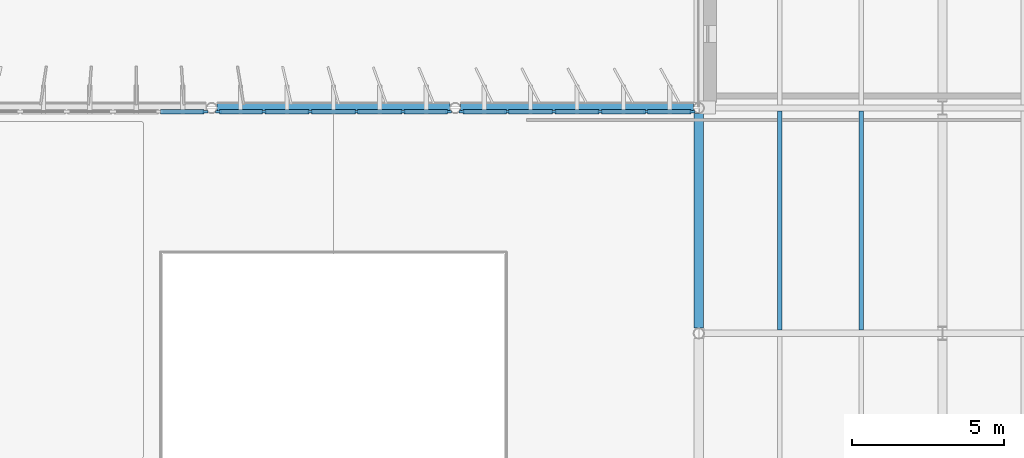
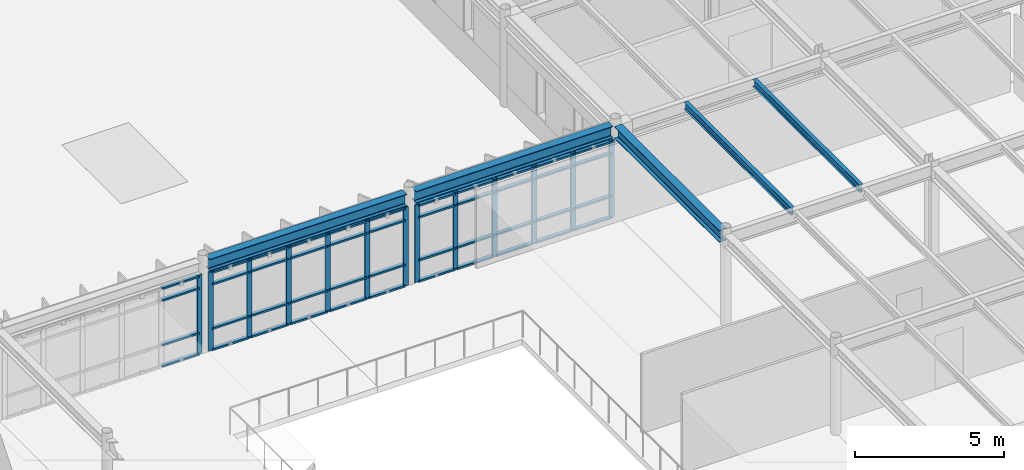
# One storey, part 23 of 56: 57 members, 5 beams, 3 elements without a shape of their own.
"""IFC4 building model written with IfcOpenShell, lengths in metres."""

import ifcopenshell
import ifcopenshell.guid

model = None  # the IFC model being written
_history = None  # IfcOwnerHistory: only IFC2X3 demands one
_inside = {}  # id of a spatial element -> (the spatial element, [elements in it])
_under = {}  # id of a project, library or spatial element -> (it, [spatial elements below it])
_declared = {}  # id of a project -> (the project, [libraries it declares])
_typed = {}  # id of a type object -> (the type object, [elements of that type])
_made_of = {}  # id of a material, layer set ... -> (it, [elements and type objects made of it])


def new_model(schema):
    """Start an empty IFC model of exactly this schema.

    Asked for "IFC4X3", IfcOpenShell would pick the latest addendum, in which some entities
    have other attributes; the version numbers below select the first issue.
    IFC2X3 requires an IfcOwnerHistory on every rooted entity: one is made here for all.
    """
    global model, _history
    if schema == "IFC4X3":
        model = ifcopenshell.file(schema_version=(4, 3, 0, 0))
    else:
        model = ifcopenshell.file(schema=schema)
    _inside.clear()
    _under.clear()
    _declared.clear()
    _typed.clear()
    _made_of.clear()
    _history = None
    if model.schema == "IFC2X3":
        org = make("IfcOrganization", Name="unknown")
        user = make(
            "IfcPersonAndOrganization",
            ThePerson=make("IfcPerson", FamilyName="unknown"),
            TheOrganization=org,
        )
        app = make(
            "IfcApplication",
            ApplicationDeveloper=org,
            Version="unknown",
            ApplicationFullName="unknown",
            ApplicationIdentifier="unknown",
        )
        _history = make(
            "IfcOwnerHistory",
            OwningUser=user,
            OwningApplication=app,
            ChangeAction="ADDED",
            CreationDate=0,
        )
    return model


def make(cls, **values):
    """One entity of the class cls with the attributes given. An attribute that is None is left unset."""
    return model.create_entity(
        cls, **{name: value for name, value in values.items() if value is not None}
    )


def rooted(cls, **values):
    """An entity with a GlobalId (a new one), such as an element, a storey or a relation."""
    return make(cls, GlobalId=ifcopenshell.guid.new(), OwnerHistory=_history, **values)


def si_unit(unit_type, name, prefix=None):
    """IfcSIUnit, for example si_unit("LENGTHUNIT", "METRE", prefix="MILLI")."""
    return make("IfcSIUnit", UnitType=unit_type, Prefix=prefix, Name=name)


def assignment(units):
    """IfcUnitAssignment: the units of a project."""
    return None if units is None else make("IfcUnitAssignment", Units=units)


def point(xyz):
    """IfcCartesianPoint."""
    return None if xyz is None else make("IfcCartesianPoint", Coordinates=xyz)


def direction(xyz):
    """IfcDirection."""
    return None if xyz is None else make("IfcDirection", DirectionRatios=xyz)


def frame(location, z_axis=None, x_axis=None):
    """IfcAxis2Placement3D, a coordinate frame: its origin and axes. An axis left out is left unset."""
    return make(
        "IfcAxis2Placement3D",
        Location=point(location),
        Axis=direction(z_axis),
        RefDirection=direction(x_axis),
    )


def frame_2d(location, x_axis=None):
    """IfcAxis2Placement2D, a coordinate frame in the plane: its origin and x axis."""
    return make(
        "IfcAxis2Placement2D", Location=point(location), RefDirection=direction(x_axis)
    )


def origin():
    """The frame at (0, 0, 0) with its axes left unset."""
    return frame((0.0, 0.0, 0.0))


def origin_2d():
    """The frame at (0, 0) in the plane with its x axis left unset."""
    return frame_2d((0.0, 0.0))


def place(relative_to, where):
    """IfcLocalPlacement: puts the frame where relative to a parent placement (None: the world)."""
    return make(
        "IfcLocalPlacement", PlacementRelTo=relative_to, RelativePlacement=where
    )


def context(
    kind, dimensions, precision=None, world=None, true_north=None, identifier=None
):
    """IfcGeometricRepresentationContext, for example the 3D "Model" context."""
    return make(
        "IfcGeometricRepresentationContext",
        ContextIdentifier=identifier,
        ContextType=kind,
        CoordinateSpaceDimension=dimensions,
        Precision=precision,
        WorldCoordinateSystem=world,
        TrueNorth=true_north,
    )


def subcontext(parent, identifier, kind, view, scale=None):
    """IfcGeometricRepresentationSubContext, for example "Body" below "Model"."""
    return make(
        "IfcGeometricRepresentationSubContext",
        ContextIdentifier=identifier,
        ContextType=kind,
        ParentContext=parent,
        TargetScale=scale,
        TargetView=view,
    )


def project(units=None, contexts=None):
    """IfcProject with its units and contexts."""
    return rooted(
        "IfcProject",
        Name="project",
        RepresentationContexts=contexts,
        UnitsInContext=assignment(units),
    )


def spatial(cls, under=None, at=None, **own):
    """A site, building, storey or space (cls), placed at a placement, below another one or the project."""
    s = rooted(cls, ObjectPlacement=at, **own)
    if under is not None:
        _under.setdefault(under.id(), (under, []))[1].append(s)
    return s


def profile(cls, at=None, kind="AREA", **sizes):
    """A parametric profile (cls). Its sizes go by their IFC names, for example OverallWidth=200.0."""
    return make(cls, ProfileType=kind, Position=at, **sizes)


def rectangle(**sizes):
    """IfcRectangleProfileDef."""
    return profile("IfcRectangleProfileDef", **sizes)


def i_section(**sizes):
    """IfcIShapeProfileDef."""
    return profile("IfcIShapeProfileDef", **sizes)


def extrude(swept, where, along, depth):
    """IfcExtrudedAreaSolid: the profile swept, set in the frame where, extruded along a direction by depth."""
    return make(
        "IfcExtrudedAreaSolid",
        SweptArea=swept,
        Position=where,
        ExtrudedDirection=direction(along),
        Depth=depth,
    )


def shape(context_of_items, identifier, shape_type, items):
    """IfcShapeRepresentation: the items that make up one representation, for example the "Body"."""
    return make(
        "IfcShapeRepresentation",
        ContextOfItems=context_of_items,
        RepresentationIdentifier=identifier,
        RepresentationType=shape_type,
        Items=items,
    )


def material(Name=None, Category=None):
    """IfcMaterial."""
    return make("IfcMaterial", Name=Name, Category=Category)


def layer(
    of_material, thickness, ventilated=None, Name=None, Category=None, Priority=None
):
    """IfcMaterialLayer: one layer of a wall or slab, of a material (None: an air gap)."""
    return make(
        "IfcMaterialLayer",
        Material=of_material,
        LayerThickness=thickness,
        IsVentilated=ventilated,
        Name=Name,
        Category=Category,
        Priority=Priority,
    )


def layer_set(layers, Name=None):
    """IfcMaterialLayerSet."""
    return make("IfcMaterialLayerSet", MaterialLayers=layers, LayerSetName=Name)


def material_profile(
    of_material, cross_section, Name=None, Category=None, Priority=None
):
    """IfcMaterialProfile: a cross section and its material."""
    return make(
        "IfcMaterialProfile",
        Name=Name,
        Material=of_material,
        Profile=cross_section,
        Priority=Priority,
        Category=Category,
    )


def profile_set(profiles, Name=None, composite=None):
    """IfcMaterialProfileSet."""
    return make(
        "IfcMaterialProfileSet",
        Name=Name,
        MaterialProfiles=profiles,
        CompositeProfile=composite,
    )


def made_of(thing, what):
    """Note that an element or type object is made of a material, layer set ...; save() writes the relation."""
    if what is not None:
        _made_of.setdefault(what.id(), (what, []))[1].append(thing)
    return thing


def type_object(cls, material=None, **own):
    """A type object (cls), such as IfcWallType, which elements share."""
    return made_of(rooted(cls, **own), material)


def element(
    cls,
    number,
    at=None,
    inside=None,
    cuts=None,
    type_object=None,
    material=None,
    context=None,
    identifier="Body",
    shape_type=None,
    held_by="IfcProductDefinitionShape",
    body=None,
    shapes=None,
    **own,
):
    """One element of the class cls, such as IfcWall. Its Tag is "e" and its number.

    at: its placement. inside: the storey or other place that contains it. cuts: it is an
    opening in that element (IfcRelVoidsElement). A single representation is given by context,
    identifier, shape_type and body (its items); several are given by shapes. held_by: the class
    of the entity that holds the representations. save() writes the other relations.
    """
    e = rooted(cls, Tag="e%d" % number, ObjectPlacement=at, **own)
    if body is not None:
        shapes = [shape(context, identifier, shape_type, body)]
    if shapes is not None:
        e.Representation = make(held_by, Representations=shapes)
    if inside is not None:
        _inside.setdefault(inside.id(), (inside, []))[1].append(e)
    if cuts is not None:
        rooted(
            "IfcRelVoidsElement", RelatingBuildingElement=cuts, RelatedOpeningElement=e
        )
    if type_object is not None:
        _typed.setdefault(type_object.id(), (type_object, []))[1].append(e)
    return made_of(e, material)


def aggregate(whole, parts):
    """IfcRelAggregates: a whole, such as a stair, and the parts it consists of."""
    return rooted("IfcRelAggregates", RelatingObject=whole, RelatedObjects=parts)


def save(model, path):
    """Write the relations noted so far, then the file.

    IfcRelAggregates (storeys below a building ...), IfcRelContainedInSpatialStructure (elements
    in a storey), IfcRelDefinesByType, IfcRelAssociatesMaterial and IfcRelDeclares: one each for
    every whole, place, type object, material and project.
    """
    for whole, parts in _under.values():
        aggregate(whole, parts)
    for where, things in _inside.values():
        rooted(
            "IfcRelContainedInSpatialStructure",
            RelatedElements=things,
            RelatingStructure=where,
        )
    for kind, things in _typed.values():
        rooted("IfcRelDefinesByType", RelatedObjects=things, RelatingType=kind)
    for what, things in _made_of.values():
        rooted("IfcRelAssociatesMaterial", RelatedObjects=things, RelatingMaterial=what)
    for by, libraries in _declared.values():
        rooted("IfcRelDeclares", RelatingContext=by, RelatedDefinitions=libraries)
    model.write(path)


model = new_model("IFC4")

# Units and contexts
model_context = context("Model", 3, precision=1e-05, world=origin(), true_north=direction((0.0, 1.0)))
body_context = subcontext(model_context, "Body", "Model", "MODEL_VIEW")
ifc_project = project(units=[si_unit("LENGTHUNIT", "METRE"), si_unit("AREAUNIT", "SQUARE_METRE"), si_unit("VOLUMEUNIT", "CUBIC_METRE"), si_unit("PLANEANGLEUNIT", "RADIAN"), si_unit("MASSUNIT", "GRAM", prefix="KILO")], contexts=[model_context])

# Site, building, storey
site_placement = place(None, origin())
site = spatial("IfcSite", under=ifc_project, at=site_placement, CompositionType="ELEMENT")
building_placement = place(site_placement, origin())
building = spatial("IfcBuilding", under=site, at=building_placement, Name="Valkorina Park Police Headquarters", CompositionType="ELEMENT")
storey_placement = place(building_placement, frame((0.0, 0.0, 14.10009765625)))
storey = spatial("IfcBuildingStorey", under=building, at=storey_placement, Name="L04", CompositionType="ELEMENT", Elevation=14.10009765625)

# Beams
ifc_material_1 = material(Name="Steel S355", Category="steel")
ifc_material_profile_1 = material_profile(ifc_material_1, i_section(OverallWidth=0.300048828125, OverallDepth=0.489990234375, WebThickness=0.011962890625, FlangeThickness=0.02294921875, FilletRadius=0.027099609375, at=origin_2d()), Name="HEA 500")
ifc_profile_set_1 = profile_set([ifc_material_profile_1], Name="Steel S355")
beam_type_1 = type_object("IfcBeamType", Name="BM-S355-HEA500-BM", PredefinedType="BEAM", material=ifc_profile_set_1)
beam_placement = place(storey_placement, frame((80.800048828125, 51.977783203125, 3.494873046875), z_axis=(0.0, 1.0, 0.0), x_axis=(-1.0, 0.0, 0.0)))
element("IfcBeam", 1, at=beam_placement, inside=storey, type_object=beam_type_1, Name="L04 Framing Beam 2337", PredefinedType="BEAM", context=body_context, shape_type="SweptSolid", body=[
    extrude(i_section(OverallWidth=0.300048828125, OverallDepth=0.489990234375, WebThickness=0.011962890625, FlangeThickness=0.02294921875, FilletRadius=0.027099609375, at=origin_2d()), origin(), (0.0, 0.0, 1.0), 7.04443359375),
])
ifc_material_profile_2 = material_profile(ifc_material_1, i_section(OverallWidth=0.300048828125, OverallDepth=0.489990234375, WebThickness=0.011962890625, FlangeThickness=0.02294921875, FilletRadius=0.027099609375, at=origin_2d()), Name="HEA 500")
ifc_profile_set_2 = profile_set([ifc_material_profile_2], Name="Steel S355")
beam_type_2 = type_object("IfcBeamType", Name="BM-S355-HEA500-SPN", PredefinedType="SPANDREL", material=ifc_profile_set_2)
for number, where, z_axis, x_axis, name in (
    (2, (64.977783203125, 59.199951171875, 3.510009765625), (1.0, 0.0, 0.0), (0.0, 1.0, 0.0), "L04 Framing Beam 2257"),
    (3, (72.977783203125, 59.199951171875, 3.494873046875), (1.0, 0.0, 0.0), (0.0, 1.0, 0.0), "L04 Framing Beam 2258"),
):
    element("IfcBeam", number, at=place(storey_placement, frame(where, z_axis=z_axis, x_axis=x_axis)), inside=storey, type_object=beam_type_2, Name=name, PredefinedType="SPANDREL", context=body_context, shape_type="SweptSolid", body=[
        extrude(i_section(OverallWidth=0.300048828125, OverallDepth=0.489990234375, WebThickness=0.011962890625, FlangeThickness=0.02294921875, FilletRadius=0.027099609375, at=origin_2d()), origin(), (0.0, 0.0, 1.0), 7.64453125),
    ])
ifc_material_profile_3 = material_profile(ifc_material_1, i_section(OverallWidth=0.14990234375, OverallDepth=0.300048828125, WebThickness=0.007080078125, FlangeThickness=0.0107421875, FilletRadius=0.014892578125, at=origin_2d()), Name="IPE 300")
ifc_profile_set_3 = profile_set([ifc_material_profile_3], Name="Steel S355")
beam_type_3 = type_object("IfcBeamType", Name="BM-S355-IPE300-JST", PredefinedType="JOIST", material=ifc_profile_set_3)
for number, where, z_axis, x_axis, name in (
    (4, (83.466796875, 51.905029296875, 3.58984375), (0.0, 1.0, 0.0), (-1.0, 0.0, 0.0), "L04 Framing Beam 2338"),
    (5, (86.13330078125, 51.905029296875, 3.58984375), (0.0, 1.0, 0.0), (-1.0, 0.0, 0.0), "L04 Framing Beam 2339"),
):
    element("IfcBeam", number, at=place(storey_placement, frame(where, z_axis=z_axis, x_axis=x_axis)), inside=storey, type_object=beam_type_3, Name=name, PredefinedType="JOIST", context=body_context, shape_type="SweptSolid", body=[
        extrude(i_section(OverallWidth=0.14990234375, OverallDepth=0.300048828125, WebThickness=0.007080078125, FlangeThickness=0.0107421875, FilletRadius=0.014892578125, at=origin_2d()), origin(), (0.0, 0.0, 1.0), 7.18994140625),
    ])

# Curtain wall, member
ifc_material_2 = material(Name="Thermally broken aluminium AW-6060", Category="aluminium")
ifc_layer_1 = layer(ifc_material_2, 0.18994140625)
ifc_layer_set_1 = layer_set([ifc_layer_1], Name="Thermally broken aluminium AW-6060")
curtain_wall_type_1 = type_object("IfcCurtainWallType", Name="CW-V5-7620x3260", PredefinedType="NOTDEFINED", material=ifc_layer_set_1)
curtain_wall_1_placement = place(storey_placement, origin())
curtain_wall_1 = element("IfcCurtainWall", 6, at=curtain_wall_1_placement, inside=storey, type_object=curtain_wall_type_1, Name="L04 Unitised Curtain Wall 037", PredefinedType="NOTDEFINED")
ifc_material_profile_4 = material_profile(ifc_material_2, rectangle(XDim=0.070068359375, YDim=0.18994140625, at=origin_2d()), Name="CWM-02 70x190")
ifc_profile_set_4 = profile_set([ifc_material_profile_4], Name="Thermally broken aluminium AW-6060")
member_type_1 = type_object("IfcMemberType", Name="CWM-70x190", PredefinedType="MULLION", material=ifc_profile_set_4)
member_1_placement = place(storey_placement, frame((64.5771484375, 59.080078125, 0.0), z_axis=(0.0, 0.0, 1.0), x_axis=(0.0, 1.0, 0.0)))
member_1 = element("IfcMember", 7, at=member_1_placement, type_object=member_type_1, Name="CW-V5-762-326 mullion 6", PredefinedType="MULLION", context=body_context, shape_type="SweptSolid", body=[
    extrude(rectangle(XDim=0.070068359375, YDim=0.18994140625, at=origin_2d()), origin(), (0.0, 0.0, 1.0), 3.2548828125),
])

# Curtain wall, members
ifc_layer_2 = layer(ifc_material_2, 0.18994140625)
ifc_layer_set_2 = layer_set([ifc_layer_2], Name="Thermally broken aluminium AW-6060")
curtain_wall_type_2 = type_object("IfcCurtainWallType", Name="CW-V5-7620x3240", PredefinedType="NOTDEFINED", material=ifc_layer_set_2)
curtain_wall_2_placement = place(storey_placement, origin())
curtain_wall_2 = element("IfcCurtainWall", 8, at=curtain_wall_2_placement, inside=storey, type_object=curtain_wall_type_2, Name="L04 Unitised Curtain Wall 038", PredefinedType="NOTDEFINED")
member_2_placement = place(storey_placement, frame((65.022705078125, 59.080078125, 0.0), z_axis=(0.0, 0.0, 1.0), x_axis=(0.0, 1.0, 0.0)))
member_2 = element("IfcMember", 9, at=member_2_placement, type_object=member_type_1, Name="CW-V5-762-324 mullion 1", PredefinedType="MULLION", context=body_context, shape_type="SweptSolid", body=[
    extrude(rectangle(XDim=0.070068359375, YDim=0.18994140625, at=origin_2d()), origin(), (0.0, 0.0, 1.0), 3.239990234375),
])
member_3_placement = place(storey_placement, frame((66.5126953125, 59.080078125, 0.0), z_axis=(0.0, 0.0, 1.0), x_axis=(0.0, 1.0, 0.0)))
member_3 = element("IfcMember", 10, at=member_3_placement, type_object=member_type_1, Name="CW-V5-762-324 mullion 2", PredefinedType="MULLION", context=body_context, shape_type="SweptSolid", body=[
    extrude(rectangle(XDim=0.070068359375, YDim=0.18994140625, at=origin_2d()), origin(), (0.0, 0.0, 1.0), 3.239990234375),
])
member_4_placement = place(storey_placement, frame((68.03759765625, 59.080078125, 0.0), z_axis=(0.0, 0.0, 1.0), x_axis=(0.0, 1.0, 0.0)))
member_4 = element("IfcMember", 11, at=member_4_placement, type_object=member_type_1, Name="CW-V5-762-324 mullion 3", PredefinedType="MULLION", context=body_context, shape_type="SweptSolid", body=[
    extrude(rectangle(XDim=0.070068359375, YDim=0.18994140625, at=origin_2d()), origin(), (0.0, 0.0, 1.0), 3.239990234375),
])
member_5_placement = place(storey_placement, frame((69.5625, 59.080078125, 0.0), z_axis=(0.0, 0.0, 1.0), x_axis=(0.0, 1.0, 0.0)))
member_5 = element("IfcMember", 12, at=member_5_placement, type_object=member_type_1, Name="CW-V5-762-324 mullion 4", PredefinedType="MULLION", context=body_context, shape_type="SweptSolid", body=[
    extrude(rectangle(XDim=0.070068359375, YDim=0.18994140625, at=origin_2d()), origin(), (0.0, 0.0, 1.0), 3.239990234375),
])
member_6_placement = place(storey_placement, frame((71.08740234375, 59.080078125, 0.0), z_axis=(0.0, 0.0, 1.0), x_axis=(0.0, 1.0, 0.0)))
member_6 = element("IfcMember", 13, at=member_6_placement, type_object=member_type_1, Name="CW-V5-762-324 mullion 5", PredefinedType="MULLION", context=body_context, shape_type="SweptSolid", body=[
    extrude(rectangle(XDim=0.070068359375, YDim=0.18994140625, at=origin_2d()), origin(), (0.0, 0.0, 1.0), 3.239990234375),
])
member_7_placement = place(storey_placement, frame((72.5771484375, 59.080078125, 0.0), z_axis=(0.0, 0.0, 1.0), x_axis=(0.0, 1.0, 0.0)))
member_7 = element("IfcMember", 14, at=member_7_placement, type_object=member_type_1, Name="CW-V5-762-324 mullion 6", PredefinedType="MULLION", context=body_context, shape_type="SweptSolid", body=[
    extrude(rectangle(XDim=0.070068359375, YDim=0.18994140625, at=origin_2d()), origin(), (0.0, 0.0, 1.0), 3.239990234375),
])

ifc_layer_3 = layer(ifc_material_2, 0.18994140625)
ifc_layer_set_3 = layer_set([ifc_layer_3], Name="Thermally broken aluminium AW-6060")
curtain_wall_type_3 = type_object("IfcCurtainWallType", Name="CW-V5-7620x3180", PredefinedType="NOTDEFINED", material=ifc_layer_set_3)
curtain_wall_3_placement = place(storey_placement, origin())
curtain_wall_3 = element("IfcCurtainWall", 15, at=curtain_wall_3_placement, inside=storey, type_object=curtain_wall_type_3, Name="L04 Unitised Curtain Wall 039", PredefinedType="NOTDEFINED")
member_8_placement = place(storey_placement, frame((73.022705078125, 59.080078125, 0.0), z_axis=(0.0, 0.0, 1.0), x_axis=(0.0, 1.0, 0.0)))
member_8 = element("IfcMember", 16, at=member_8_placement, type_object=member_type_1, Name="CW-V5-762-318 mullion 1", PredefinedType="MULLION", context=body_context, shape_type="SweptSolid", body=[
    extrude(rectangle(XDim=0.070068359375, YDim=0.18994140625, at=origin_2d()), origin(), (0.0, 0.0, 1.0), 3.179931640625),
])
member_9_placement = place(storey_placement, frame((74.5126953125, 59.080078125, 0.0), z_axis=(0.0, 0.0, 1.0), x_axis=(0.0, 1.0, 0.0)))
member_9 = element("IfcMember", 17, at=member_9_placement, type_object=member_type_1, Name="CW-V5-762-318 mullion 2", PredefinedType="MULLION", context=body_context, shape_type="SweptSolid", body=[
    extrude(rectangle(XDim=0.070068359375, YDim=0.18994140625, at=origin_2d()), origin(), (0.0, 0.0, 1.0), 3.179931640625),
])
member_10_placement = place(storey_placement, frame((76.03759765625, 59.080078125, 0.0), z_axis=(0.0, 0.0, 1.0), x_axis=(0.0, 1.0, 0.0)))
member_10 = element("IfcMember", 18, at=member_10_placement, type_object=member_type_1, Name="CW-V5-762-318 mullion 3", PredefinedType="MULLION", context=body_context, shape_type="SweptSolid", body=[
    extrude(rectangle(XDim=0.070068359375, YDim=0.18994140625, at=origin_2d()), origin(), (0.0, 0.0, 1.0), 3.179931640625),
])
member_11_placement = place(storey_placement, frame((77.5625, 59.080078125, 0.0), z_axis=(0.0, 0.0, 1.0), x_axis=(0.0, 1.0, 0.0)))
member_11 = element("IfcMember", 19, at=member_11_placement, type_object=member_type_1, Name="CW-V5-762-318 mullion 4", PredefinedType="MULLION", context=body_context, shape_type="SweptSolid", body=[
    extrude(rectangle(XDim=0.070068359375, YDim=0.18994140625, at=origin_2d()), origin(), (0.0, 0.0, 1.0), 3.179931640625),
])
member_12_placement = place(storey_placement, frame((79.08740234375, 59.080078125, 0.0), z_axis=(0.0, 0.0, 1.0), x_axis=(0.0, 1.0, 0.0)))
member_12 = element("IfcMember", 20, at=member_12_placement, type_object=member_type_1, Name="CW-V5-762-318 mullion 5", PredefinedType="MULLION", context=body_context, shape_type="SweptSolid", body=[
    extrude(rectangle(XDim=0.070068359375, YDim=0.18994140625, at=origin_2d()), origin(), (0.0, 0.0, 1.0), 3.179931640625),
])
member_13_placement = place(storey_placement, frame((80.5771484375, 59.080078125, 0.0), z_axis=(0.0, 0.0, 1.0), x_axis=(0.0, 1.0, 0.0)))
member_13 = element("IfcMember", 21, at=member_13_placement, type_object=member_type_1, Name="CW-V5-762-318 mullion 6", PredefinedType="MULLION", context=body_context, shape_type="SweptSolid", body=[
    extrude(rectangle(XDim=0.070068359375, YDim=0.18994140625, at=origin_2d()), origin(), (0.0, 0.0, 1.0), 3.179931640625),
])

# Member
ifc_material_profile_5 = material_profile(ifc_material_2, rectangle(XDim=0.14990234375, YDim=0.070068359375, at=origin_2d()), Name="CWT-02 150x70")
ifc_profile_set_5 = profile_set([ifc_material_profile_5], Name="Thermally broken aluminium AW-6060")
member_type_2 = type_object("IfcMemberType", Name="CWT-150x70", PredefinedType="USERDEFINED", material=ifc_profile_set_5)
member_14_placement = place(storey_placement, frame((63.122314453125, 59.080078125, 0.034912109375), z_axis=(1.0, 0.0, 0.0), x_axis=(0.0, 1.0, 0.0)))
member_14 = element("IfcMember", 22, at=member_14_placement, type_object=member_type_2, Name="CW-V5-762-326 transom 5.1", ObjectType="TRANSOM", PredefinedType="USERDEFINED", context=body_context, shape_type="SweptSolid", body=[
    extrude(rectangle(XDim=0.14990234375, YDim=0.070068359375, at=origin_2d()), origin(), (0.0, 0.0, 1.0), 1.419921875),
])

member_15_placement = place(storey_placement, frame((63.122314453125, 59.080078125, 0.89990234375), z_axis=(1.0, 0.0, 0.0), x_axis=(0.0, 1.0, 0.0)))
member_15 = element("IfcMember", 23, at=member_15_placement, type_object=member_type_2, Name="CW-V5-762-326 transom 5.2", ObjectType="TRANSOM", PredefinedType="USERDEFINED", context=body_context, shape_type="SweptSolid", body=[
    extrude(rectangle(XDim=0.14990234375, YDim=0.070068359375, at=origin_2d()), origin(), (0.0, 0.0, 1.0), 1.419921875),
])

member_16_placement = place(storey_placement, frame((63.122314453125, 59.080078125, 2.73486328125), z_axis=(1.0, 0.0, 0.0), x_axis=(0.0, 1.0, 0.0)))
member_16 = element("IfcMember", 24, at=member_16_placement, type_object=member_type_2, Name="CW-V5-762-326 transom 5.3", ObjectType="TRANSOM", PredefinedType="USERDEFINED", context=body_context, shape_type="SweptSolid", body=[
    extrude(rectangle(XDim=0.14990234375, YDim=0.070068359375, at=origin_2d()), origin(), (0.0, 0.0, 1.0), 1.419921875),
])

member_17_placement = place(storey_placement, frame((63.122314453125, 59.080078125, 3.219970703125), z_axis=(1.0, 0.0, 0.0), x_axis=(0.0, 1.0, 0.0)))
member_17 = element("IfcMember", 25, at=member_17_placement, type_object=member_type_2, Name="CW-V5-762-326 transom 5.4", ObjectType="TRANSOM", PredefinedType="USERDEFINED", context=body_context, shape_type="SweptSolid", body=[
    extrude(rectangle(XDim=0.14990234375, YDim=0.070068359375, at=origin_2d()), origin(), (0.0, 0.0, 1.0), 1.419921875),
])

aggregate(curtain_wall_1, [member_1, member_14, member_15, member_16, member_17])

member_18_placement = place(storey_placement, frame((65.057861328125, 59.080078125, 0.034912109375), z_axis=(1.0, 0.0, 0.0), x_axis=(0.0, 1.0, 0.0)))
member_18 = element("IfcMember", 26, at=member_18_placement, type_object=member_type_2, Name="CW-V5-762-324 transom 1.1", ObjectType="TRANSOM", PredefinedType="USERDEFINED", context=body_context, shape_type="SweptSolid", body=[
    extrude(rectangle(XDim=0.14990234375, YDim=0.070068359375, at=origin_2d()), origin(), (0.0, 0.0, 1.0), 1.419921875),
])

member_19_placement = place(storey_placement, frame((65.057861328125, 59.080078125, 0.89990234375), z_axis=(1.0, 0.0, 0.0), x_axis=(0.0, 1.0, 0.0)))
member_19 = element("IfcMember", 27, at=member_19_placement, type_object=member_type_2, Name="CW-V5-762-324 transom 1.2", ObjectType="TRANSOM", PredefinedType="USERDEFINED", context=body_context, shape_type="SweptSolid", body=[
    extrude(rectangle(XDim=0.14990234375, YDim=0.070068359375, at=origin_2d()), origin(), (0.0, 0.0, 1.0), 1.419921875),
])

member_20_placement = place(storey_placement, frame((65.057861328125, 59.080078125, 2.719970703125), z_axis=(1.0, 0.0, 0.0), x_axis=(0.0, 1.0, 0.0)))
member_20 = element("IfcMember", 28, at=member_20_placement, type_object=member_type_2, Name="CW-V5-762-324 transom 1.3", ObjectType="TRANSOM", PredefinedType="USERDEFINED", context=body_context, shape_type="SweptSolid", body=[
    extrude(rectangle(XDim=0.14990234375, YDim=0.070068359375, at=origin_2d()), origin(), (0.0, 0.0, 1.0), 1.419921875),
])

member_21_placement = place(storey_placement, frame((65.057861328125, 59.080078125, 3.204833984375), z_axis=(1.0, 0.0, 0.0), x_axis=(0.0, 1.0, 0.0)))
member_21 = element("IfcMember", 29, at=member_21_placement, type_object=member_type_2, Name="CW-V5-762-324 transom 1.4", ObjectType="TRANSOM", PredefinedType="USERDEFINED", context=body_context, shape_type="SweptSolid", body=[
    extrude(rectangle(XDim=0.14990234375, YDim=0.070068359375, at=origin_2d()), origin(), (0.0, 0.0, 1.0), 1.419921875),
])

member_22_placement = place(storey_placement, frame((66.547607421875, 59.080078125, 0.034912109375), z_axis=(1.0, 0.0, 0.0), x_axis=(0.0, 1.0, 0.0)))
member_22 = element("IfcMember", 30, at=member_22_placement, type_object=member_type_2, Name="CW-V5-762-324 transom 2.1", ObjectType="TRANSOM", PredefinedType="USERDEFINED", context=body_context, shape_type="SweptSolid", body=[
    extrude(rectangle(XDim=0.14990234375, YDim=0.070068359375, at=origin_2d()), origin(), (0.0, 0.0, 1.0), 1.454833984375),
])

member_23_placement = place(storey_placement, frame((66.547607421875, 59.080078125, 0.89990234375), z_axis=(1.0, 0.0, 0.0), x_axis=(0.0, 1.0, 0.0)))
member_23 = element("IfcMember", 31, at=member_23_placement, type_object=member_type_2, Name="CW-V5-762-324 transom 2.2", ObjectType="TRANSOM", PredefinedType="USERDEFINED", context=body_context, shape_type="SweptSolid", body=[
    extrude(rectangle(XDim=0.14990234375, YDim=0.070068359375, at=origin_2d()), origin(), (0.0, 0.0, 1.0), 1.454833984375),
])

member_24_placement = place(storey_placement, frame((66.547607421875, 59.080078125, 2.719970703125), z_axis=(1.0, 0.0, 0.0), x_axis=(0.0, 1.0, 0.0)))
member_24 = element("IfcMember", 32, at=member_24_placement, type_object=member_type_2, Name="CW-V5-762-324 transom 2.3", ObjectType="TRANSOM", PredefinedType="USERDEFINED", context=body_context, shape_type="SweptSolid", body=[
    extrude(rectangle(XDim=0.14990234375, YDim=0.070068359375, at=origin_2d()), origin(), (0.0, 0.0, 1.0), 1.454833984375),
])

member_25_placement = place(storey_placement, frame((66.547607421875, 59.080078125, 3.204833984375), z_axis=(1.0, 0.0, 0.0), x_axis=(0.0, 1.0, 0.0)))
member_25 = element("IfcMember", 33, at=member_25_placement, type_object=member_type_2, Name="CW-V5-762-324 transom 2.4", ObjectType="TRANSOM", PredefinedType="USERDEFINED", context=body_context, shape_type="SweptSolid", body=[
    extrude(rectangle(XDim=0.14990234375, YDim=0.070068359375, at=origin_2d()), origin(), (0.0, 0.0, 1.0), 1.454833984375),
])

member_26_placement = place(storey_placement, frame((68.072509765625, 59.080078125, 0.034912109375), z_axis=(1.0, 0.0, 0.0), x_axis=(0.0, 1.0, 0.0)))
member_26 = element("IfcMember", 34, at=member_26_placement, type_object=member_type_2, Name="CW-V5-762-324 transom 3.1", ObjectType="TRANSOM", PredefinedType="USERDEFINED", context=body_context, shape_type="SweptSolid", body=[
    extrude(rectangle(XDim=0.14990234375, YDim=0.070068359375, at=origin_2d()), origin(), (0.0, 0.0, 1.0), 1.454833984375),
])

member_27_placement = place(storey_placement, frame((68.072509765625, 59.080078125, 0.89990234375), z_axis=(1.0, 0.0, 0.0), x_axis=(0.0, 1.0, 0.0)))
member_27 = element("IfcMember", 35, at=member_27_placement, type_object=member_type_2, Name="CW-V5-762-324 transom 3.2", ObjectType="TRANSOM", PredefinedType="USERDEFINED", context=body_context, shape_type="SweptSolid", body=[
    extrude(rectangle(XDim=0.14990234375, YDim=0.070068359375, at=origin_2d()), origin(), (0.0, 0.0, 1.0), 1.454833984375),
])

member_28_placement = place(storey_placement, frame((68.072509765625, 59.080078125, 2.719970703125), z_axis=(1.0, 0.0, 0.0), x_axis=(0.0, 1.0, 0.0)))
member_28 = element("IfcMember", 36, at=member_28_placement, type_object=member_type_2, Name="CW-V5-762-324 transom 3.3", ObjectType="TRANSOM", PredefinedType="USERDEFINED", context=body_context, shape_type="SweptSolid", body=[
    extrude(rectangle(XDim=0.14990234375, YDim=0.070068359375, at=origin_2d()), origin(), (0.0, 0.0, 1.0), 1.454833984375),
])

member_29_placement = place(storey_placement, frame((68.072509765625, 59.080078125, 3.204833984375), z_axis=(1.0, 0.0, 0.0), x_axis=(0.0, 1.0, 0.0)))
member_29 = element("IfcMember", 37, at=member_29_placement, type_object=member_type_2, Name="CW-V5-762-324 transom 3.4", ObjectType="TRANSOM", PredefinedType="USERDEFINED", context=body_context, shape_type="SweptSolid", body=[
    extrude(rectangle(XDim=0.14990234375, YDim=0.070068359375, at=origin_2d()), origin(), (0.0, 0.0, 1.0), 1.454833984375),
])

member_30_placement = place(storey_placement, frame((69.597412109375, 59.080078125, 0.034912109375), z_axis=(1.0, 0.0, 0.0), x_axis=(0.0, 1.0, 0.0)))
member_30 = element("IfcMember", 38, at=member_30_placement, type_object=member_type_2, Name="CW-V5-762-324 transom 4.1", ObjectType="TRANSOM", PredefinedType="USERDEFINED", context=body_context, shape_type="SweptSolid", body=[
    extrude(rectangle(XDim=0.14990234375, YDim=0.070068359375, at=origin_2d()), origin(), (0.0, 0.0, 1.0), 1.454833984375),
])

member_31_placement = place(storey_placement, frame((69.597412109375, 59.080078125, 0.89990234375), z_axis=(1.0, 0.0, 0.0), x_axis=(0.0, 1.0, 0.0)))
member_31 = element("IfcMember", 39, at=member_31_placement, type_object=member_type_2, Name="CW-V5-762-324 transom 4.2", ObjectType="TRANSOM", PredefinedType="USERDEFINED", context=body_context, shape_type="SweptSolid", body=[
    extrude(rectangle(XDim=0.14990234375, YDim=0.070068359375, at=origin_2d()), origin(), (0.0, 0.0, 1.0), 1.454833984375),
])

member_32_placement = place(storey_placement, frame((69.597412109375, 59.080078125, 2.719970703125), z_axis=(1.0, 0.0, 0.0), x_axis=(0.0, 1.0, 0.0)))
member_32 = element("IfcMember", 40, at=member_32_placement, type_object=member_type_2, Name="CW-V5-762-324 transom 4.3", ObjectType="TRANSOM", PredefinedType="USERDEFINED", context=body_context, shape_type="SweptSolid", body=[
    extrude(rectangle(XDim=0.14990234375, YDim=0.070068359375, at=origin_2d()), origin(), (0.0, 0.0, 1.0), 1.454833984375),
])

member_33_placement = place(storey_placement, frame((69.597412109375, 59.080078125, 3.204833984375), z_axis=(1.0, 0.0, 0.0), x_axis=(0.0, 1.0, 0.0)))
member_33 = element("IfcMember", 41, at=member_33_placement, type_object=member_type_2, Name="CW-V5-762-324 transom 4.4", ObjectType="TRANSOM", PredefinedType="USERDEFINED", context=body_context, shape_type="SweptSolid", body=[
    extrude(rectangle(XDim=0.14990234375, YDim=0.070068359375, at=origin_2d()), origin(), (0.0, 0.0, 1.0), 1.454833984375),
])

member_34_placement = place(storey_placement, frame((71.122314453125, 59.080078125, 0.034912109375), z_axis=(1.0, 0.0, 0.0), x_axis=(0.0, 1.0, 0.0)))
member_34 = element("IfcMember", 42, at=member_34_placement, type_object=member_type_2, Name="CW-V5-762-324 transom 5.1", ObjectType="TRANSOM", PredefinedType="USERDEFINED", context=body_context, shape_type="SweptSolid", body=[
    extrude(rectangle(XDim=0.14990234375, YDim=0.070068359375, at=origin_2d()), origin(), (0.0, 0.0, 1.0), 1.419921875),
])

member_35_placement = place(storey_placement, frame((71.122314453125, 59.080078125, 0.89990234375), z_axis=(1.0, 0.0, 0.0), x_axis=(0.0, 1.0, 0.0)))
member_35 = element("IfcMember", 43, at=member_35_placement, type_object=member_type_2, Name="CW-V5-762-324 transom 5.2", ObjectType="TRANSOM", PredefinedType="USERDEFINED", context=body_context, shape_type="SweptSolid", body=[
    extrude(rectangle(XDim=0.14990234375, YDim=0.070068359375, at=origin_2d()), origin(), (0.0, 0.0, 1.0), 1.419921875),
])

member_36_placement = place(storey_placement, frame((71.122314453125, 59.080078125, 2.719970703125), z_axis=(1.0, 0.0, 0.0), x_axis=(0.0, 1.0, 0.0)))
member_36 = element("IfcMember", 44, at=member_36_placement, type_object=member_type_2, Name="CW-V5-762-324 transom 5.3", ObjectType="TRANSOM", PredefinedType="USERDEFINED", context=body_context, shape_type="SweptSolid", body=[
    extrude(rectangle(XDim=0.14990234375, YDim=0.070068359375, at=origin_2d()), origin(), (0.0, 0.0, 1.0), 1.419921875),
])

member_37_placement = place(storey_placement, frame((71.122314453125, 59.080078125, 3.204833984375), z_axis=(1.0, 0.0, 0.0), x_axis=(0.0, 1.0, 0.0)))
member_37 = element("IfcMember", 45, at=member_37_placement, type_object=member_type_2, Name="CW-V5-762-324 transom 5.4", ObjectType="TRANSOM", PredefinedType="USERDEFINED", context=body_context, shape_type="SweptSolid", body=[
    extrude(rectangle(XDim=0.14990234375, YDim=0.070068359375, at=origin_2d()), origin(), (0.0, 0.0, 1.0), 1.419921875),
])

aggregate(curtain_wall_2, [member_2, member_3, member_4, member_5, member_6, member_7, member_18, member_19, member_20, member_21, member_22, member_23, member_24, member_25, member_26, member_27, member_28, member_29, member_30, member_31, member_32, member_33, member_34, member_35, member_36, member_37])

member_38_placement = place(storey_placement, frame((73.057861328125, 59.080078125, 0.034912109375), z_axis=(1.0, 0.0, 0.0), x_axis=(0.0, 1.0, 0.0)))
member_38 = element("IfcMember", 46, at=member_38_placement, type_object=member_type_2, Name="CW-V5-762-318 transom 1.1", ObjectType="TRANSOM", PredefinedType="USERDEFINED", context=body_context, shape_type="SweptSolid", body=[
    extrude(rectangle(XDim=0.14990234375, YDim=0.070068359375, at=origin_2d()), origin(), (0.0, 0.0, 1.0), 1.419921875),
])

member_39_placement = place(storey_placement, frame((73.057861328125, 59.080078125, 0.89990234375), z_axis=(1.0, 0.0, 0.0), x_axis=(0.0, 1.0, 0.0)))
member_39 = element("IfcMember", 47, at=member_39_placement, type_object=member_type_2, Name="CW-V5-762-318 transom 1.2", ObjectType="TRANSOM", PredefinedType="USERDEFINED", context=body_context, shape_type="SweptSolid", body=[
    extrude(rectangle(XDim=0.14990234375, YDim=0.070068359375, at=origin_2d()), origin(), (0.0, 0.0, 1.0), 1.419921875),
])

member_40_placement = place(storey_placement, frame((73.057861328125, 59.080078125, 2.659912109375), z_axis=(1.0, 0.0, 0.0), x_axis=(0.0, 1.0, 0.0)))
member_40 = element("IfcMember", 48, at=member_40_placement, type_object=member_type_2, Name="CW-V5-762-318 transom 1.3", ObjectType="TRANSOM", PredefinedType="USERDEFINED", context=body_context, shape_type="SweptSolid", body=[
    extrude(rectangle(XDim=0.14990234375, YDim=0.070068359375, at=origin_2d()), origin(), (0.0, 0.0, 1.0), 1.419921875),
])

member_41_placement = place(storey_placement, frame((73.057861328125, 59.080078125, 3.14501953125), z_axis=(1.0, 0.0, 0.0), x_axis=(0.0, 1.0, 0.0)))
member_41 = element("IfcMember", 49, at=member_41_placement, type_object=member_type_2, Name="CW-V5-762-318 transom 1.4", ObjectType="TRANSOM", PredefinedType="USERDEFINED", context=body_context, shape_type="SweptSolid", body=[
    extrude(rectangle(XDim=0.14990234375, YDim=0.070068359375, at=origin_2d()), origin(), (0.0, 0.0, 1.0), 1.419921875),
])

member_42_placement = place(storey_placement, frame((74.547607421875, 59.080078125, 0.034912109375), z_axis=(1.0, 0.0, 0.0), x_axis=(0.0, 1.0, 0.0)))
member_42 = element("IfcMember", 50, at=member_42_placement, type_object=member_type_2, Name="CW-V5-762-318 transom 2.1", ObjectType="TRANSOM", PredefinedType="USERDEFINED", context=body_context, shape_type="SweptSolid", body=[
    extrude(rectangle(XDim=0.14990234375, YDim=0.070068359375, at=origin_2d()), origin(), (0.0, 0.0, 1.0), 1.454833984375),
])

member_43_placement = place(storey_placement, frame((74.547607421875, 59.080078125, 0.89990234375), z_axis=(1.0, 0.0, 0.0), x_axis=(0.0, 1.0, 0.0)))
member_43 = element("IfcMember", 51, at=member_43_placement, type_object=member_type_2, Name="CW-V5-762-318 transom 2.2", ObjectType="TRANSOM", PredefinedType="USERDEFINED", context=body_context, shape_type="SweptSolid", body=[
    extrude(rectangle(XDim=0.14990234375, YDim=0.070068359375, at=origin_2d()), origin(), (0.0, 0.0, 1.0), 1.454833984375),
])

member_44_placement = place(storey_placement, frame((74.547607421875, 59.080078125, 2.659912109375), z_axis=(1.0, 0.0, 0.0), x_axis=(0.0, 1.0, 0.0)))
member_44 = element("IfcMember", 52, at=member_44_placement, type_object=member_type_2, Name="CW-V5-762-318 transom 2.3", ObjectType="TRANSOM", PredefinedType="USERDEFINED", context=body_context, shape_type="SweptSolid", body=[
    extrude(rectangle(XDim=0.14990234375, YDim=0.070068359375, at=origin_2d()), origin(), (0.0, 0.0, 1.0), 1.454833984375),
])

member_45_placement = place(storey_placement, frame((74.547607421875, 59.080078125, 3.14501953125), z_axis=(1.0, 0.0, 0.0), x_axis=(0.0, 1.0, 0.0)))
member_45 = element("IfcMember", 53, at=member_45_placement, type_object=member_type_2, Name="CW-V5-762-318 transom 2.4", ObjectType="TRANSOM", PredefinedType="USERDEFINED", context=body_context, shape_type="SweptSolid", body=[
    extrude(rectangle(XDim=0.14990234375, YDim=0.070068359375, at=origin_2d()), origin(), (0.0, 0.0, 1.0), 1.454833984375),
])

member_46_placement = place(storey_placement, frame((76.072509765625, 59.080078125, 0.034912109375), z_axis=(1.0, 0.0, 0.0), x_axis=(0.0, 1.0, 0.0)))
member_46 = element("IfcMember", 54, at=member_46_placement, type_object=member_type_2, Name="CW-V5-762-318 transom 3.1", ObjectType="TRANSOM", PredefinedType="USERDEFINED", context=body_context, shape_type="SweptSolid", body=[
    extrude(rectangle(XDim=0.14990234375, YDim=0.070068359375, at=origin_2d()), origin(), (0.0, 0.0, 1.0), 1.454833984375),
])

member_47_placement = place(storey_placement, frame((76.072509765625, 59.080078125, 0.89990234375), z_axis=(1.0, 0.0, 0.0), x_axis=(0.0, 1.0, 0.0)))
member_47 = element("IfcMember", 55, at=member_47_placement, type_object=member_type_2, Name="CW-V5-762-318 transom 3.2", ObjectType="TRANSOM", PredefinedType="USERDEFINED", context=body_context, shape_type="SweptSolid", body=[
    extrude(rectangle(XDim=0.14990234375, YDim=0.070068359375, at=origin_2d()), origin(), (0.0, 0.0, 1.0), 1.454833984375),
])

member_48_placement = place(storey_placement, frame((76.072509765625, 59.080078125, 2.659912109375), z_axis=(1.0, 0.0, 0.0), x_axis=(0.0, 1.0, 0.0)))
member_48 = element("IfcMember", 56, at=member_48_placement, type_object=member_type_2, Name="CW-V5-762-318 transom 3.3", ObjectType="TRANSOM", PredefinedType="USERDEFINED", context=body_context, shape_type="SweptSolid", body=[
    extrude(rectangle(XDim=0.14990234375, YDim=0.070068359375, at=origin_2d()), origin(), (0.0, 0.0, 1.0), 1.454833984375),
])

member_49_placement = place(storey_placement, frame((76.072509765625, 59.080078125, 3.14501953125), z_axis=(1.0, 0.0, 0.0), x_axis=(0.0, 1.0, 0.0)))
member_49 = element("IfcMember", 57, at=member_49_placement, type_object=member_type_2, Name="CW-V5-762-318 transom 3.4", ObjectType="TRANSOM", PredefinedType="USERDEFINED", context=body_context, shape_type="SweptSolid", body=[
    extrude(rectangle(XDim=0.14990234375, YDim=0.070068359375, at=origin_2d()), origin(), (0.0, 0.0, 1.0), 1.454833984375),
])

member_50_placement = place(storey_placement, frame((77.597412109375, 59.080078125, 0.034912109375), z_axis=(1.0, 0.0, 0.0), x_axis=(0.0, 1.0, 0.0)))
member_50 = element("IfcMember", 58, at=member_50_placement, type_object=member_type_2, Name="CW-V5-762-318 transom 4.1", ObjectType="TRANSOM", PredefinedType="USERDEFINED", context=body_context, shape_type="SweptSolid", body=[
    extrude(rectangle(XDim=0.14990234375, YDim=0.070068359375, at=origin_2d()), origin(), (0.0, 0.0, 1.0), 1.454833984375),
])

member_51_placement = place(storey_placement, frame((77.597412109375, 59.080078125, 0.89990234375), z_axis=(1.0, 0.0, 0.0), x_axis=(0.0, 1.0, 0.0)))
member_51 = element("IfcMember", 59, at=member_51_placement, type_object=member_type_2, Name="CW-V5-762-318 transom 4.2", ObjectType="TRANSOM", PredefinedType="USERDEFINED", context=body_context, shape_type="SweptSolid", body=[
    extrude(rectangle(XDim=0.14990234375, YDim=0.070068359375, at=origin_2d()), origin(), (0.0, 0.0, 1.0), 1.454833984375),
])

member_52_placement = place(storey_placement, frame((77.597412109375, 59.080078125, 2.659912109375), z_axis=(1.0, 0.0, 0.0), x_axis=(0.0, 1.0, 0.0)))
member_52 = element("IfcMember", 60, at=member_52_placement, type_object=member_type_2, Name="CW-V5-762-318 transom 4.3", ObjectType="TRANSOM", PredefinedType="USERDEFINED", context=body_context, shape_type="SweptSolid", body=[
    extrude(rectangle(XDim=0.14990234375, YDim=0.070068359375, at=origin_2d()), origin(), (0.0, 0.0, 1.0), 1.454833984375),
])

member_53_placement = place(storey_placement, frame((77.597412109375, 59.080078125, 3.14501953125), z_axis=(1.0, 0.0, 0.0), x_axis=(0.0, 1.0, 0.0)))
member_53 = element("IfcMember", 61, at=member_53_placement, type_object=member_type_2, Name="CW-V5-762-318 transom 4.4", ObjectType="TRANSOM", PredefinedType="USERDEFINED", context=body_context, shape_type="SweptSolid", body=[
    extrude(rectangle(XDim=0.14990234375, YDim=0.070068359375, at=origin_2d()), origin(), (0.0, 0.0, 1.0), 1.454833984375),
])

member_54_placement = place(storey_placement, frame((79.122314453125, 59.080078125, 0.034912109375), z_axis=(1.0, 0.0, 0.0), x_axis=(0.0, 1.0, 0.0)))
member_54 = element("IfcMember", 62, at=member_54_placement, type_object=member_type_2, Name="CW-V5-762-318 transom 5.1", ObjectType="TRANSOM", PredefinedType="USERDEFINED", context=body_context, shape_type="SweptSolid", body=[
    extrude(rectangle(XDim=0.14990234375, YDim=0.070068359375, at=origin_2d()), origin(), (0.0, 0.0, 1.0), 1.419921875),
])

member_55_placement = place(storey_placement, frame((79.122314453125, 59.080078125, 0.89990234375), z_axis=(1.0, 0.0, 0.0), x_axis=(0.0, 1.0, 0.0)))
member_55 = element("IfcMember", 63, at=member_55_placement, type_object=member_type_2, Name="CW-V5-762-318 transom 5.2", ObjectType="TRANSOM", PredefinedType="USERDEFINED", context=body_context, shape_type="SweptSolid", body=[
    extrude(rectangle(XDim=0.14990234375, YDim=0.070068359375, at=origin_2d()), origin(), (0.0, 0.0, 1.0), 1.419921875),
])

member_56_placement = place(storey_placement, frame((79.122314453125, 59.080078125, 2.659912109375), z_axis=(1.0, 0.0, 0.0), x_axis=(0.0, 1.0, 0.0)))
member_56 = element("IfcMember", 64, at=member_56_placement, type_object=member_type_2, Name="CW-V5-762-318 transom 5.3", ObjectType="TRANSOM", PredefinedType="USERDEFINED", context=body_context, shape_type="SweptSolid", body=[
    extrude(rectangle(XDim=0.14990234375, YDim=0.070068359375, at=origin_2d()), origin(), (0.0, 0.0, 1.0), 1.419921875),
])

member_57_placement = place(storey_placement, frame((79.122314453125, 59.080078125, 3.14501953125), z_axis=(1.0, 0.0, 0.0), x_axis=(0.0, 1.0, 0.0)))
member_57 = element("IfcMember", 65, at=member_57_placement, type_object=member_type_2, Name="CW-V5-762-318 transom 5.4", ObjectType="TRANSOM", PredefinedType="USERDEFINED", context=body_context, shape_type="SweptSolid", body=[
    extrude(rectangle(XDim=0.14990234375, YDim=0.070068359375, at=origin_2d()), origin(), (0.0, 0.0, 1.0), 1.419921875),
])

aggregate(curtain_wall_3, [member_8, member_9, member_10, member_11, member_12, member_13, member_38, member_39, member_40, member_41, member_42, member_43, member_44, member_45, member_46, member_47, member_48, member_49, member_50, member_51, member_52, member_53, member_54, member_55, member_56, member_57])

save(model, "model.ifc")
